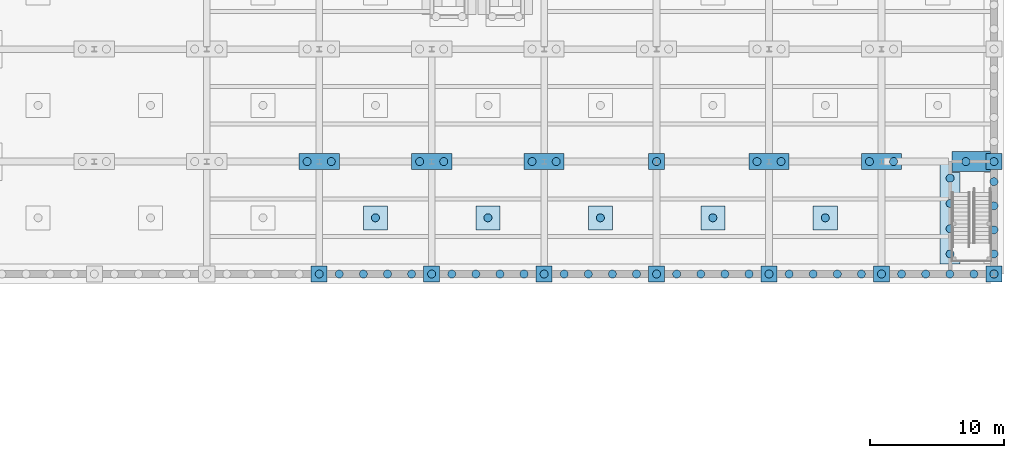
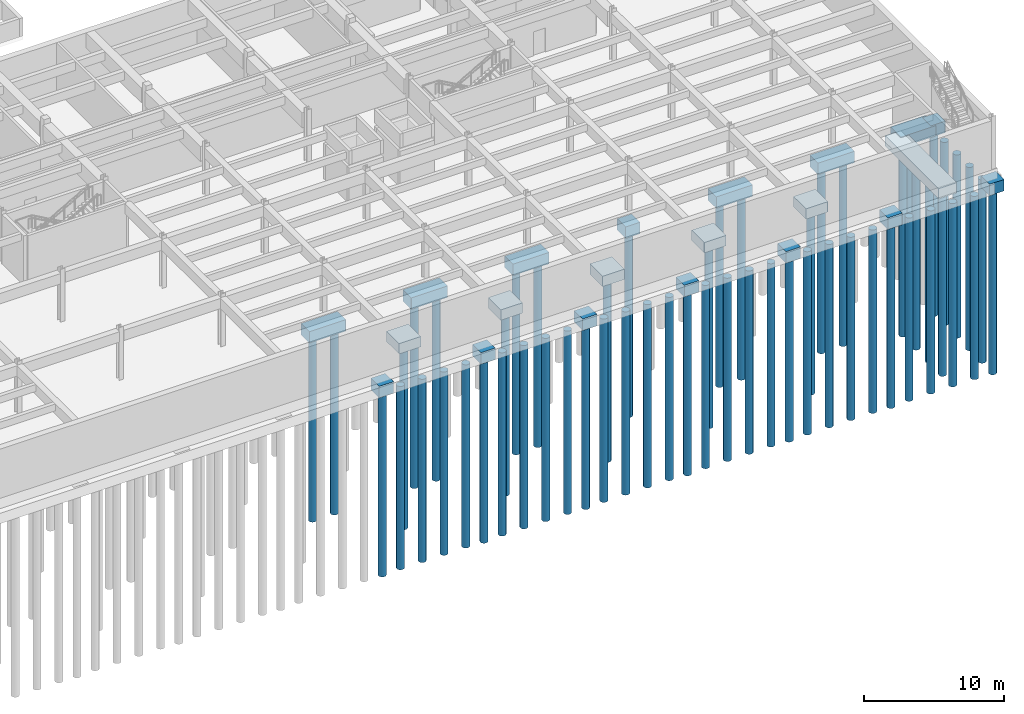
# One storey, part 6 of 33: 57 piles, 21 footings.
"""IFC4 building model written with IfcOpenShell, lengths in metres."""

from ifc_helpers import new_model, si_unit, direction, frame, origin, origin_2d, place, context, subcontext, project, spatial, polyline, circle, outline, extrude, material, layer, layer_set, material_profile, profile_set, type_object, element, save


model = new_model("IFC4")

# Units and contexts
model_context = context("Model", 3, precision=1e-05, world=origin(), true_north=direction((0.0, 1.0)))
body_context = subcontext(model_context, "Body", "Model", "MODEL_VIEW")
ifc_project = project(units=[si_unit("LENGTHUNIT", "METRE"), si_unit("AREAUNIT", "SQUARE_METRE"), si_unit("VOLUMEUNIT", "CUBIC_METRE"), si_unit("PLANEANGLEUNIT", "RADIAN"), si_unit("MASSUNIT", "GRAM", prefix="KILO")], contexts=[model_context])

# Site, building, storey
site_placement = place(None, origin())
site = spatial("IfcSite", under=ifc_project, at=site_placement, CompositionType="ELEMENT")
building_placement = place(site_placement, origin())
building = spatial("IfcBuilding", under=site, at=building_placement, Name="Ljudholm Concert House", CompositionType="ELEMENT")
storey_placement = place(building_placement, frame((0.0, 0.0, -4.60009765625)))
storey = spatial("IfcBuildingStorey", under=building, at=storey_placement, Name="B1", CompositionType="ELEMENT", Elevation=-4.60009765625)

# Piles
ifc_material_1 = material(Name="Concrete 5,000 psi", Category="concrete")
ifc_material_profile = material_profile(ifc_material_1, circle(Radius=0.300048828125, at=origin_2d()), Name="AUGER-CAST PILE D600")
ifc_profile_set = profile_set([ifc_material_profile], Name="Concrete 5,000 psi")
pile_type = type_object("IfcPileType", Name="AUGER-CAST PILE D600", PredefinedType="BORED", material=ifc_profile_set)
for number, where, z_axis, x_axis, name in (
    (1, (71.199951171875, 104.800048828125, -1.89990234375), (0.0, 0.0, -1.0), (1.0, 0.0, 0.0), "Pile D600"),
    (2, (70.300048828125, 113.199951171875, -1.89990234375), (0.0, 0.0, -1.0), (1.0, 0.0, 0.0), "Pile D600"),
    (3, (72.10009765625, 113.199951171875, -1.89990234375), (0.0, 0.0, -1.0), (1.0, 0.0, 0.0), "Pile D600"),
    (4, (79.60009765625, 104.800048828125, -1.89990234375), (0.0, 0.0, -1.0), (1.0, 0.0, 0.0), "Pile D600"),
    (5, (78.699951171875, 113.199951171875, -1.89990234375), (0.0, 0.0, -1.0), (1.0, 0.0, 0.0), "Pile D600"),
    (6, (80.5, 113.199951171875, -1.89990234375), (0.0, 0.0, -1.0), (1.0, 0.0, 0.0), "Pile D600"),
    (7, (88.0, 104.800048828125, -1.89990234375), (0.0, 0.0, -1.0), (1.0, 0.0, 0.0), "Pile D600"),
    (8, (87.10009765625, 113.199951171875, -1.89990234375), (0.0, 0.0, -1.0), (1.0, 0.0, 0.0), "Pile D600"),
    (9, (88.89990234375, 113.199951171875, -1.89990234375), (0.0, 0.0, -1.0), (1.0, 0.0, 0.0), "Pile D600"),
    (10, (96.39990234375, 104.800048828125, -1.89990234375), (0.0, 0.0, -1.0), (1.0, 0.0, 0.0), "Pile D600"),
    (11, (96.39990234375, 113.199951171875, -1.89990234375), (0.0, 0.0, -1.0), (1.0, 0.0, 0.0), "Pile D600"),
    (12, (104.800048828125, 104.800048828125, -1.89990234375), (0.0, 0.0, -1.0), (1.0, 0.0, 0.0), "Pile D600"),
    (13, (103.89990234375, 113.199951171875, -1.89990234375), (0.0, 0.0, -1.0), (1.0, 0.0, 0.0), "Pile D600"),
    (14, (105.699951171875, 113.199951171875, -1.89990234375), (0.0, 0.0, -1.0), (1.0, 0.0, 0.0), "Pile D600"),
    (15, (113.199951171875, 104.800048828125, -1.89990234375), (0.0, 0.0, -1.0), (1.0, 0.0, 0.0), "Pile D600"),
    (16, (112.300048828125, 113.199951171875, -1.89990234375), (0.0, 0.0, -1.0), (1.0, 0.0, 0.0), "Pile D600"),
    (17, (114.10009765625, 113.199951171875, -1.89990234375), (0.0, 0.0, -1.0), (1.0, 0.0, 0.0), "Pile D600"),
    (18, (121.60009765625, 104.800048828125, -1.89990234375), (0.0, 0.0, -1.0), (1.0, 0.0, 0.0), "Pile D600"),
    (19, (121.60009765625, 113.199951171875, -1.89990234375), (0.0, 0.0, -1.0), (1.0, 0.0, 0.0), "Pile D600"),
    (20, (119.5, 113.199951171875, -1.7998046875), (0.0, 0.0, -1.0), (1.0, 0.0, 0.0), "Pile D600"),
    (21, (72.699951171875, 104.800048828125, -1.7998046875), (0.0, 0.0, -1.0), (1.0, 0.0, 0.0), "Pile D600"),
    (22, (74.5, 104.800048828125, -1.7998046875), (0.0, 0.0, -1.0), (1.0, 0.0, 0.0), "Pile D600"),
    (23, (76.300048828125, 104.800048828125, -1.7998046875), (0.0, 0.0, -1.0), (1.0, 0.0, 0.0), "Pile D600"),
    (24, (78.10009765625, 104.800048828125, -1.7998046875), (0.0, 0.0, -1.0), (1.0, 0.0, 0.0), "Pile D600"),
    (25, (81.10009765625, 104.800048828125, -1.7998046875), (0.0, 0.0, -1.0), (1.0, 0.0, 0.0), "Pile D600"),
    (26, (82.89990234375, 104.800048828125, -1.7998046875), (0.0, 0.0, -1.0), (1.0, 0.0, 0.0), "Pile D600"),
    (27, (84.699951171875, 104.800048828125, -1.7998046875), (0.0, 0.0, -1.0), (1.0, 0.0, 0.0), "Pile D600"),
    (28, (86.5, 104.800048828125, -1.7998046875), (0.0, 0.0, -1.0), (1.0, 0.0, 0.0), "Pile D600"),
    (29, (89.5, 104.800048828125, -1.7998046875), (0.0, 0.0, -1.0), (1.0, 0.0, 0.0), "Pile D600"),
    (30, (91.300048828125, 104.800048828125, -1.7998046875), (0.0, 0.0, -1.0), (1.0, 0.0, 0.0), "Pile D600"),
    (31, (93.10009765625, 104.800048828125, -1.7998046875), (0.0, 0.0, -1.0), (1.0, 0.0, 0.0), "Pile D600"),
    (32, (94.89990234375, 104.800048828125, -1.7998046875), (0.0, 0.0, -1.0), (1.0, 0.0, 0.0), "Pile D600"),
    (33, (97.89990234375, 104.800048828125, -1.7998046875), (0.0, 0.0, -1.0), (1.0, 0.0, 0.0), "Pile D600"),
    (34, (99.699951171875, 104.800048828125, -1.7998046875), (0.0, 0.0, -1.0), (1.0, 0.0, 0.0), "Pile D600"),
    (35, (101.5, 104.800048828125, -1.7998046875), (0.0, 0.0, -1.0), (1.0, 0.0, 0.0), "Pile D600"),
    (36, (103.300048828125, 104.800048828125, -1.7998046875), (0.0, 0.0, -1.0), (1.0, 0.0, 0.0), "Pile D600"),
    (37, (106.300048828125, 104.800048828125, -1.7998046875), (0.0, 0.0, -1.0), (1.0, 0.0, 0.0), "Pile D600"),
    (38, (108.10009765625, 104.800048828125, -1.7998046875), (0.0, 0.0, -1.0), (1.0, 0.0, 0.0), "Pile D600"),
    (39, (109.89990234375, 104.800048828125, -1.7998046875), (0.0, 0.0, -1.0), (1.0, 0.0, 0.0), "Pile D600"),
    (40, (111.699951171875, 104.800048828125, -1.7998046875), (0.0, 0.0, -1.0), (1.0, 0.0, 0.0), "Pile D600"),
    (41, (114.699951171875, 104.800048828125, -1.7998046875), (0.0, 0.0, -1.0), (1.0, 0.0, 0.0), "Pile D600"),
    (42, (116.5, 104.800048828125, -1.7998046875), (0.0, 0.0, -1.0), (1.0, 0.0, 0.0), "Pile D600"),
    (43, (118.300048828125, 104.800048828125, -1.7998046875), (0.0, 0.0, -1.0), (1.0, 0.0, 0.0), "Pile D600"),
    (44, (120.10009765625, 104.800048828125, -1.7998046875), (0.0, 0.0, -1.0), (1.0, 0.0, 0.0), "Pile D600"),
    (45, (118.324951171875, 106.29931640625, -1.7998046875), (0.0, 0.0, -1.0), (1.0, 0.0, 0.0), "Pile D600"),
    (46, (118.324951171875, 108.18505859375, -1.7998046875), (0.0, 0.0, -1.0), (1.0, 0.0, 0.0), "Pile D600"),
    (47, (118.324951171875, 110.071044921875, -1.7998046875), (0.0, 0.0, -1.0), (1.0, 0.0, 0.0), "Pile D600"),
    (48, (118.324951171875, 111.956787109375, -1.7998046875), (0.0, 0.0, -1.0), (1.0, 0.0, 0.0), "Pile D600"),
    (49, (121.60009765625, 106.300048828125, -1.7998046875), (0.0, 0.0, -1.0), (1.0, 0.0, 0.0), "Pile D600"),
    (50, (121.60009765625, 108.10009765625, -1.7998046875), (0.0, 0.0, -1.0), (1.0, 0.0, 0.0), "Pile D600"),
    (51, (121.60009765625, 109.89990234375, -1.7998046875), (0.0, 0.0, -1.0), (1.0, 0.0, 0.0), "Pile D600"),
    (52, (121.60009765625, 111.699951171875, -1.7998046875), (0.0, 0.0, -1.0), (1.0, 0.0, 0.0), "Pile D600"),
    (53, (75.39990234375, 109.0, -1.7998046875), (0.0, 0.0, -1.0), (1.0, 0.0, 0.0), "Pile D600"),
    (54, (83.800048828125, 109.0, -1.7998046875), (0.0, 0.0, -1.0), (1.0, 0.0, 0.0), "Pile D600"),
    (55, (92.199951171875, 109.0, -1.7998046875), (0.0, 0.0, -1.0), (1.0, 0.0, 0.0), "Pile D600"),
    (56, (100.60009765625, 109.0, -1.7998046875), (0.0, 0.0, -1.0), (1.0, 0.0, 0.0), "Pile D600"),
    (57, (109.0, 109.0, -1.7998046875), (0.0, 0.0, -1.0), (1.0, 0.0, 0.0), "Pile D600"),
):
    element("IfcPile", number, at=place(storey_placement, frame(where, z_axis=z_axis, x_axis=x_axis)), inside=storey, type_object=pile_type, Name=name, PredefinedType="BORED", context=body_context, shape_type="SweptSolid", body=[
        extrude(circle(Radius=0.300048828125, at=origin_2d()), origin(), (0.0, 0.0, 1.0), 16.0),
    ])

# Footings
ifc_material_2 = material(Name="Concrete 5,000 psi", Category="concrete")
ifc_layer_1 = layer(ifc_material_2, 1.0)
ifc_layer_set_1 = layer_set([ifc_layer_1], Name="Concrete 5,000 psi")
footing_type_1 = type_object("IfcFootingType", Name="RC PILE CAP 1200x1200x1000", PredefinedType="PILE_CAP", material=ifc_layer_set_1)
footing_1_placement = place(storey_placement, frame((0.0, 0.0, -1.89990234375)))
element("IfcFooting", 58, at=footing_1_placement, inside=storey, type_object=footing_type_1, Name="Pile cap", PredefinedType="PILE_CAP", context=body_context, shape_type="SweptSolid", body=[
    extrude(outline(polyline([(70.610107421875, 104.199951171875), (71.7900390625, 104.199951171875), (71.7939453125, 104.20068359375), (71.797119140625, 104.202880859375), (71.79931640625, 104.2060546875), (71.800048828125, 104.2099609375), (71.800048828125, 105.389892578125), (71.79931640625, 105.393798828125), (71.797119140625, 105.39697265625), (71.7939453125, 105.399169921875), (71.7900390625, 105.39990234375), (70.610107421875, 105.39990234375), (70.606201171875, 105.399169921875), (70.60302734375, 105.39697265625), (70.600830078125, 105.393798828125), (70.60009765625, 105.389892578125), (70.60009765625, 104.2099609375), (70.600830078125, 104.2060546875), (70.60302734375, 104.202880859375), (70.606201171875, 104.20068359375), (70.610107421875, 104.199951171875)])), origin(), (0.0, 0.0, 1.0), 1.0),
])
footing_2_placement = place(storey_placement, frame((0.0, 0.0, -1.89990234375)))
element("IfcFooting", 59, at=footing_2_placement, inside=storey, type_object=footing_type_1, Name="Pile cap", PredefinedType="PILE_CAP", context=body_context, shape_type="SweptSolid", body=[
    extrude(outline(polyline([(79.010009765625, 104.199951171875), (80.18994140625, 104.199951171875), (80.19384765625, 104.20068359375), (80.197021484375, 104.202880859375), (80.19921875, 104.2060546875), (80.199951171875, 104.2099609375), (80.199951171875, 105.389892578125), (80.19921875, 105.393798828125), (80.197021484375, 105.39697265625), (80.19384765625, 105.399169921875), (80.18994140625, 105.39990234375), (79.010009765625, 105.39990234375), (79.006103515625, 105.399169921875), (79.0029296875, 105.39697265625), (79.000732421875, 105.393798828125), (79.0, 105.389892578125), (79.0, 104.2099609375), (79.000732421875, 104.2060546875), (79.0029296875, 104.202880859375), (79.006103515625, 104.20068359375), (79.010009765625, 104.199951171875)])), origin(), (0.0, 0.0, 1.0), 1.0),
])
footing_3_placement = place(storey_placement, frame((0.0, 0.0, -1.89990234375)))
element("IfcFooting", 60, at=footing_3_placement, inside=storey, type_object=footing_type_1, Name="Pile cap", PredefinedType="PILE_CAP", context=body_context, shape_type="SweptSolid", body=[
    extrude(outline(polyline([(87.409912109375, 104.199951171875), (88.590087890625, 104.199951171875), (88.59375, 104.20068359375), (88.59716796875, 104.202880859375), (88.59912109375, 104.2060546875), (88.60009765625, 104.2099609375), (88.60009765625, 105.389892578125), (88.59912109375, 105.393798828125), (88.59716796875, 105.39697265625), (88.59375, 105.399169921875), (88.590087890625, 105.39990234375), (87.409912109375, 105.39990234375), (87.40625, 105.399169921875), (87.40283203125, 105.39697265625), (87.40087890625, 105.393798828125), (87.39990234375, 105.389892578125), (87.39990234375, 104.2099609375), (87.40087890625, 104.2060546875), (87.40283203125, 104.202880859375), (87.40625, 104.20068359375), (87.409912109375, 104.199951171875)])), origin(), (0.0, 0.0, 1.0), 1.0),
])
footing_4_placement = place(storey_placement, frame((0.0, 0.0, -1.89990234375)))
element("IfcFooting", 61, at=footing_4_placement, inside=storey, type_object=footing_type_1, Name="Pile cap", PredefinedType="PILE_CAP", context=body_context, shape_type="SweptSolid", body=[
    extrude(outline(polyline([(95.81005859375, 104.199951171875), (96.989990234375, 104.199951171875), (96.993896484375, 104.20068359375), (96.9970703125, 104.202880859375), (96.999267578125, 104.2060546875), (97.0, 104.2099609375), (97.0, 105.389892578125), (96.999267578125, 105.393798828125), (96.9970703125, 105.39697265625), (96.993896484375, 105.399169921875), (96.989990234375, 105.39990234375), (95.81005859375, 105.39990234375), (95.80615234375, 105.399169921875), (95.802978515625, 105.39697265625), (95.80078125, 105.393798828125), (95.800048828125, 105.389892578125), (95.800048828125, 104.2099609375), (95.80078125, 104.2060546875), (95.802978515625, 104.202880859375), (95.80615234375, 104.20068359375), (95.81005859375, 104.199951171875)])), origin(), (0.0, 0.0, 1.0), 1.0),
])
footing_5_placement = place(storey_placement, frame((0.0, 0.0, -1.89990234375)))
element("IfcFooting", 62, at=footing_5_placement, inside=storey, type_object=footing_type_1, Name="Pile cap", PredefinedType="PILE_CAP", context=body_context, shape_type="SweptSolid", body=[
    extrude(outline(polyline([(95.800048828125, 113.7900390625), (95.800048828125, 112.610107421875), (95.80078125, 112.606201171875), (95.802978515625, 112.60302734375), (95.80615234375, 112.600830078125), (95.81005859375, 112.60009765625), (96.989990234375, 112.60009765625), (96.993896484375, 112.600830078125), (96.9970703125, 112.60302734375), (96.999267578125, 112.606201171875), (97.0, 112.610107421875), (97.0, 113.7900390625), (96.999267578125, 113.7939453125), (96.9970703125, 113.797119140625), (96.993896484375, 113.79931640625), (96.989990234375, 113.800048828125), (95.81005859375, 113.800048828125), (95.80615234375, 113.79931640625), (95.802978515625, 113.797119140625), (95.80078125, 113.7939453125), (95.800048828125, 113.7900390625)])), origin(), (0.0, 0.0, 1.0), 1.0),
])
footing_6_placement = place(storey_placement, frame((0.0, 0.0, -1.89990234375)))
element("IfcFooting", 63, at=footing_6_placement, inside=storey, type_object=footing_type_1, Name="Pile cap", PredefinedType="PILE_CAP", context=body_context, shape_type="SweptSolid", body=[
    extrude(outline(polyline([(104.2099609375, 104.199951171875), (105.389892578125, 104.199951171875), (105.393798828125, 104.20068359375), (105.39697265625, 104.202880859375), (105.399169921875, 104.2060546875), (105.39990234375, 104.2099609375), (105.39990234375, 105.389892578125), (105.399169921875, 105.393798828125), (105.39697265625, 105.39697265625), (105.393798828125, 105.399169921875), (105.389892578125, 105.39990234375), (104.2099609375, 105.39990234375), (104.2060546875, 105.399169921875), (104.202880859375, 105.39697265625), (104.20068359375, 105.393798828125), (104.199951171875, 105.389892578125), (104.199951171875, 104.2099609375), (104.20068359375, 104.2060546875), (104.202880859375, 104.202880859375), (104.2060546875, 104.20068359375), (104.2099609375, 104.199951171875)])), origin(), (0.0, 0.0, 1.0), 1.0),
])
footing_7_placement = place(storey_placement, frame((0.0, 0.0, -1.89990234375)))
element("IfcFooting", 64, at=footing_7_placement, inside=storey, type_object=footing_type_1, Name="Pile cap", PredefinedType="PILE_CAP", context=body_context, shape_type="SweptSolid", body=[
    extrude(outline(polyline([(112.610107421875, 104.199951171875), (113.7900390625, 104.199951171875), (113.7939453125, 104.20068359375), (113.797119140625, 104.202880859375), (113.79931640625, 104.2060546875), (113.800048828125, 104.2099609375), (113.800048828125, 105.389892578125), (113.79931640625, 105.393798828125), (113.797119140625, 105.39697265625), (113.7939453125, 105.399169921875), (113.7900390625, 105.39990234375), (112.610107421875, 105.39990234375), (112.606201171875, 105.399169921875), (112.60302734375, 105.39697265625), (112.600830078125, 105.393798828125), (112.60009765625, 105.389892578125), (112.60009765625, 104.2099609375), (112.600830078125, 104.2060546875), (112.60302734375, 104.202880859375), (112.606201171875, 104.20068359375), (112.610107421875, 104.199951171875)])), origin(), (0.0, 0.0, 1.0), 1.0),
])
footing_8_placement = place(storey_placement, frame((0.0, 0.0, -1.89990234375)))
element("IfcFooting", 65, at=footing_8_placement, inside=storey, type_object=footing_type_1, Name="Pile cap", PredefinedType="PILE_CAP", context=body_context, shape_type="SweptSolid", body=[
    extrude(outline(polyline([(121.010009765625, 104.199951171875), (122.18994140625, 104.199951171875), (122.19384765625, 104.20068359375), (122.197021484375, 104.202880859375), (122.19921875, 104.2060546875), (122.199951171875, 104.2099609375), (122.199951171875, 105.389892578125), (122.19921875, 105.393798828125), (122.197021484375, 105.39697265625), (122.19384765625, 105.399169921875), (122.18994140625, 105.39990234375), (121.010009765625, 105.39990234375), (121.006103515625, 105.399169921875), (121.0029296875, 105.39697265625), (121.000732421875, 105.393798828125), (121.0, 105.389892578125), (121.0, 104.2099609375), (121.000732421875, 104.2060546875), (121.0029296875, 104.202880859375), (121.006103515625, 104.20068359375), (121.010009765625, 104.199951171875)])), origin(), (0.0, 0.0, 1.0), 1.0),
])
footing_9_placement = place(storey_placement, frame((0.0, 0.0, -1.89990234375)))
element("IfcFooting", 66, at=footing_9_placement, inside=storey, type_object=footing_type_1, Name="Pile cap", PredefinedType="PILE_CAP", context=body_context, shape_type="SweptSolid", body=[
    extrude(outline(polyline([(121.0, 113.7900390625), (121.0, 112.610107421875), (121.000732421875, 112.606201171875), (121.0029296875, 112.60302734375), (121.006103515625, 112.600830078125), (121.010009765625, 112.60009765625), (122.18994140625, 112.60009765625), (122.19384765625, 112.600830078125), (122.197021484375, 112.60302734375), (122.19921875, 112.606201171875), (122.199951171875, 112.610107421875), (122.199951171875, 113.7900390625), (122.19921875, 113.7939453125), (122.197021484375, 113.797119140625), (122.19384765625, 113.79931640625), (122.18994140625, 113.800048828125), (121.010009765625, 113.800048828125), (121.006103515625, 113.79931640625), (121.0029296875, 113.797119140625), (121.000732421875, 113.7939453125), (121.0, 113.7900390625)])), origin(), (0.0, 0.0, 1.0), 1.0),
])
ifc_material_3 = material(Name="Concrete 5,000 psi", Category="concrete")
ifc_layer_2 = layer(ifc_material_3, 0.89990234375)
ifc_layer_set_2 = layer_set([ifc_layer_2], Name="Concrete 5,000 psi")
footing_type_2 = type_object("IfcFootingType", Name="RC PILE CAP 1800x1800x900", PredefinedType="PILE_CAP", material=ifc_layer_set_2)
footing_10_placement = place(storey_placement, frame((0.0, 0.0, -1.7998046875)))
element("IfcFooting", 67, at=footing_10_placement, inside=storey, type_object=footing_type_2, Name="Uplift pile cap", PredefinedType="PILE_CAP", context=body_context, shape_type="SweptSolid", body=[
    extrude(outline(polyline([(74.510009765625, 108.10009765625), (76.2900390625, 108.10009765625), (76.2939453125, 108.100830078125), (76.297119140625, 108.10302734375), (76.29931640625, 108.106201171875), (76.300048828125, 108.110107421875), (76.300048828125, 109.889892578125), (76.29931640625, 109.893798828125), (76.297119140625, 109.89697265625), (76.2939453125, 109.899169921875), (76.2900390625, 109.89990234375), (74.510009765625, 109.89990234375), (74.506103515625, 109.899169921875), (74.5029296875, 109.89697265625), (74.500732421875, 109.893798828125), (74.5, 109.889892578125), (74.5, 108.110107421875), (74.500732421875, 108.106201171875), (74.5029296875, 108.10302734375), (74.506103515625, 108.100830078125), (74.510009765625, 108.10009765625)])), origin(), (0.0, 0.0, 1.0), 0.89990234375),
])
footing_11_placement = place(storey_placement, frame((0.0, 0.0, -1.7998046875)))
element("IfcFooting", 68, at=footing_11_placement, inside=storey, type_object=footing_type_2, Name="Uplift pile cap", PredefinedType="PILE_CAP", context=body_context, shape_type="SweptSolid", body=[
    extrude(outline(polyline([(82.909912109375, 108.10009765625), (84.68994140625, 108.10009765625), (84.69384765625, 108.100830078125), (84.697021484375, 108.10302734375), (84.69921875, 108.106201171875), (84.699951171875, 108.110107421875), (84.699951171875, 109.889892578125), (84.69921875, 109.893798828125), (84.697021484375, 109.89697265625), (84.69384765625, 109.899169921875), (84.68994140625, 109.89990234375), (82.909912109375, 109.89990234375), (82.90625, 109.899169921875), (82.90283203125, 109.89697265625), (82.90087890625, 109.893798828125), (82.89990234375, 109.889892578125), (82.89990234375, 108.110107421875), (82.90087890625, 108.106201171875), (82.90283203125, 108.10302734375), (82.90625, 108.100830078125), (82.909912109375, 108.10009765625)])), origin(), (0.0, 0.0, 1.0), 0.89990234375),
])
footing_12_placement = place(storey_placement, frame((0.0, 0.0, -1.7998046875)))
element("IfcFooting", 69, at=footing_12_placement, inside=storey, type_object=footing_type_2, Name="Uplift pile cap", PredefinedType="PILE_CAP", context=body_context, shape_type="SweptSolid", body=[
    extrude(outline(polyline([(91.31005859375, 108.10009765625), (93.090087890625, 108.10009765625), (93.09375, 108.100830078125), (93.09716796875, 108.10302734375), (93.09912109375, 108.106201171875), (93.10009765625, 108.110107421875), (93.10009765625, 109.889892578125), (93.09912109375, 109.893798828125), (93.09716796875, 109.89697265625), (93.09375, 109.899169921875), (93.090087890625, 109.89990234375), (91.31005859375, 109.89990234375), (91.30615234375, 109.899169921875), (91.302978515625, 109.89697265625), (91.30078125, 109.893798828125), (91.300048828125, 109.889892578125), (91.300048828125, 108.110107421875), (91.30078125, 108.106201171875), (91.302978515625, 108.10302734375), (91.30615234375, 108.100830078125), (91.31005859375, 108.10009765625)])), origin(), (0.0, 0.0, 1.0), 0.89990234375),
])
footing_13_placement = place(storey_placement, frame((0.0, 0.0, -1.7998046875)))
element("IfcFooting", 70, at=footing_13_placement, inside=storey, type_object=footing_type_2, Name="Uplift pile cap", PredefinedType="PILE_CAP", context=body_context, shape_type="SweptSolid", body=[
    extrude(outline(polyline([(99.7099609375, 108.10009765625), (101.489990234375, 108.10009765625), (101.493896484375, 108.100830078125), (101.4970703125, 108.10302734375), (101.499267578125, 108.106201171875), (101.5, 108.110107421875), (101.5, 109.889892578125), (101.499267578125, 109.893798828125), (101.4970703125, 109.89697265625), (101.493896484375, 109.899169921875), (101.489990234375, 109.89990234375), (99.7099609375, 109.89990234375), (99.7060546875, 109.899169921875), (99.702880859375, 109.89697265625), (99.70068359375, 109.893798828125), (99.699951171875, 109.889892578125), (99.699951171875, 108.110107421875), (99.70068359375, 108.106201171875), (99.702880859375, 108.10302734375), (99.7060546875, 108.100830078125), (99.7099609375, 108.10009765625)])), origin(), (0.0, 0.0, 1.0), 0.89990234375),
])
footing_14_placement = place(storey_placement, frame((0.0, 0.0, -1.7998046875)))
element("IfcFooting", 71, at=footing_14_placement, inside=storey, type_object=footing_type_2, Name="Uplift pile cap", PredefinedType="PILE_CAP", context=body_context, shape_type="SweptSolid", body=[
    extrude(outline(polyline([(108.110107421875, 108.10009765625), (109.889892578125, 108.10009765625), (109.893798828125, 108.100830078125), (109.89697265625, 108.10302734375), (109.899169921875, 108.106201171875), (109.89990234375, 108.110107421875), (109.89990234375, 109.889892578125), (109.899169921875, 109.893798828125), (109.89697265625, 109.89697265625), (109.893798828125, 109.899169921875), (109.889892578125, 109.89990234375), (108.110107421875, 109.89990234375), (108.106201171875, 109.899169921875), (108.10302734375, 109.89697265625), (108.100830078125, 109.893798828125), (108.10009765625, 109.889892578125), (108.10009765625, 108.110107421875), (108.100830078125, 108.106201171875), (108.10302734375, 108.10302734375), (108.106201171875, 108.100830078125), (108.110107421875, 108.10009765625)])), origin(), (0.0, 0.0, 1.0), 0.89990234375),
])
ifc_material_4 = material(Name="Concrete 5,000 psi", Category="concrete")
ifc_layer_3 = layer(ifc_material_4, 1.0)
ifc_layer_set_3 = layer_set([ifc_layer_3], Name="Concrete 5,000 psi")
footing_type_3 = type_object("IfcFootingType", Name="RC PILE CAP 3000x1200x1000", PredefinedType="PILE_CAP", material=ifc_layer_set_3)
footing_15_placement = place(storey_placement, frame((0.0, 0.0, -1.89990234375)))
element("IfcFooting", 72, at=footing_15_placement, inside=storey, type_object=footing_type_3, Name="Pile cap", PredefinedType="PILE_CAP", context=body_context, shape_type="SweptSolid", body=[
    extrude(outline(polyline([(69.699951171875, 113.7900390625), (69.699951171875, 112.610107421875), (69.70166015625, 112.6044921875), (69.7060546875, 112.600830078125), (69.7099609375, 112.60009765625), (72.68994140625, 112.60009765625), (72.695556640625, 112.601806640625), (72.69921875, 112.606201171875), (72.699951171875, 112.610107421875), (72.699951171875, 113.7900390625), (72.6982421875, 113.795654296875), (72.69384765625, 113.79931640625), (72.68994140625, 113.800048828125), (69.7099609375, 113.800048828125), (69.7060546875, 113.79931640625), (69.702880859375, 113.797119140625), (69.70068359375, 113.7939453125), (69.699951171875, 113.7900390625)])), origin(), (0.0, 0.0, 1.0), 1.0),
])
footing_16_placement = place(storey_placement, frame((0.0, 0.0, -1.89990234375)))
element("IfcFooting", 73, at=footing_16_placement, inside=storey, type_object=footing_type_3, Name="Pile cap", PredefinedType="PILE_CAP", context=body_context, shape_type="SweptSolid", body=[
    extrude(outline(polyline([(78.10009765625, 113.7900390625), (78.10009765625, 112.610107421875), (78.101806640625, 112.6044921875), (78.106201171875, 112.600830078125), (78.110107421875, 112.60009765625), (81.090087890625, 112.60009765625), (81.095458984375, 112.601806640625), (81.09912109375, 112.606201171875), (81.10009765625, 112.610107421875), (81.10009765625, 113.7900390625), (81.098388671875, 113.795654296875), (81.09375, 113.79931640625), (81.090087890625, 113.800048828125), (78.110107421875, 113.800048828125), (78.106201171875, 113.79931640625), (78.10302734375, 113.797119140625), (78.100830078125, 113.7939453125), (78.10009765625, 113.7900390625)])), origin(), (0.0, 0.0, 1.0), 1.0),
])
footing_17_placement = place(storey_placement, frame((0.0, 0.0, -1.89990234375)))
element("IfcFooting", 74, at=footing_17_placement, inside=storey, type_object=footing_type_3, Name="Pile cap", PredefinedType="PILE_CAP", context=body_context, shape_type="SweptSolid", body=[
    extrude(outline(polyline([(86.5, 113.7900390625), (86.5, 112.610107421875), (86.501708984375, 112.6044921875), (86.506103515625, 112.600830078125), (86.510009765625, 112.60009765625), (89.489990234375, 112.60009765625), (89.49560546875, 112.601806640625), (89.499267578125, 112.606201171875), (89.5, 112.610107421875), (89.5, 113.7900390625), (89.498291015625, 113.795654296875), (89.493896484375, 113.79931640625), (89.489990234375, 113.800048828125), (86.510009765625, 113.800048828125), (86.506103515625, 113.79931640625), (86.5029296875, 113.797119140625), (86.500732421875, 113.7939453125), (86.5, 113.7900390625)])), origin(), (0.0, 0.0, 1.0), 1.0),
])
footing_18_placement = place(storey_placement, frame((0.0, 0.0, -1.89990234375)))
element("IfcFooting", 75, at=footing_18_placement, inside=storey, type_object=footing_type_3, Name="Pile cap", PredefinedType="PILE_CAP", context=body_context, shape_type="SweptSolid", body=[
    extrude(outline(polyline([(103.300048828125, 113.7900390625), (103.300048828125, 112.610107421875), (103.3017578125, 112.6044921875), (103.30615234375, 112.600830078125), (103.31005859375, 112.60009765625), (106.2900390625, 112.60009765625), (106.295654296875, 112.601806640625), (106.29931640625, 112.606201171875), (106.300048828125, 112.610107421875), (106.300048828125, 113.7900390625), (106.29833984375, 113.795654296875), (106.2939453125, 113.79931640625), (106.2900390625, 113.800048828125), (103.31005859375, 113.800048828125), (103.30615234375, 113.79931640625), (103.302978515625, 113.797119140625), (103.30078125, 113.7939453125), (103.300048828125, 113.7900390625)])), origin(), (0.0, 0.0, 1.0), 1.0),
])
footing_19_placement = place(storey_placement, frame((0.0, 0.0, -1.89990234375)))
element("IfcFooting", 76, at=footing_19_placement, inside=storey, type_object=footing_type_3, Name="Pile cap", PredefinedType="PILE_CAP", context=body_context, shape_type="SweptSolid", body=[
    extrude(outline(polyline([(111.699951171875, 113.7900390625), (111.699951171875, 112.610107421875), (111.70166015625, 112.6044921875), (111.7060546875, 112.600830078125), (111.7099609375, 112.60009765625), (114.68994140625, 112.60009765625), (114.695556640625, 112.601806640625), (114.69921875, 112.606201171875), (114.699951171875, 112.610107421875), (114.699951171875, 113.7900390625), (114.6982421875, 113.795654296875), (114.69384765625, 113.79931640625), (114.68994140625, 113.800048828125), (111.7099609375, 113.800048828125), (111.7060546875, 113.79931640625), (111.702880859375, 113.797119140625), (111.70068359375, 113.7939453125), (111.699951171875, 113.7900390625)])), origin(), (0.0, 0.0, 1.0), 1.0),
])
ifc_material_5 = material(Name="Concrete 5,000 psi", Category="concrete")
ifc_layer_4 = layer(ifc_material_5, 0.89990234375)
ifc_layer_set_4 = layer_set([ifc_layer_4], Name="Concrete 5,000 psi")
footing_type_4 = type_object("IfcFootingType", Name="RC STRIP FOOTING 1500x900", PredefinedType="STRIP_FOOTING", material=ifc_layer_set_4)
footing_20_placement = place(storey_placement, frame((0.0, 0.0, -1.7998046875)))
element("IfcFooting", 77, at=footing_20_placement, inside=storey, type_object=footing_type_4, Name="Strip footing", PredefinedType="STRIP_FOOTING", context=body_context, shape_type="SweptSolid", body=[
    extrude(outline(polyline([(118.4599609375, 112.449951171875), (121.340087890625, 112.449951171875), (121.3447265625, 112.451171875), (121.348876953125, 112.455322265625), (121.35009765625, 112.4599609375), (121.35009765625, 112.590087890625), (121.348388671875, 112.595458984375), (121.34375, 112.59912109375), (121.340087890625, 112.60009765625), (121.01025390625, 112.60009765625), (121.00439453125, 112.601806640625), (121.001708984375, 112.6044921875), (121.00048828125, 112.607177734375), (121.0, 113.789794921875), (121.000732421875, 113.793701171875), (121.0029296875, 113.797119140625), (121.006103515625, 113.79931640625), (121.01025390625, 113.800048828125), (121.340087890625, 113.800048828125), (121.34375, 113.80078125), (121.348388671875, 113.804443359375), (121.35009765625, 113.81005859375), (121.35009765625, 113.93994140625), (121.348876953125, 113.94482421875), (121.3447265625, 113.94873046875), (121.340087890625, 113.949951171875), (118.4599609375, 113.949951171875), (118.455322265625, 113.94873046875), (118.451171875, 113.94482421875), (118.449951171875, 113.93994140625), (118.449951171875, 112.4599609375), (118.45068359375, 112.4560546875), (118.452880859375, 112.452880859375), (118.4560546875, 112.45068359375), (118.4599609375, 112.449951171875)])), origin(), (0.0, 0.0, 1.0), 0.89990234375),
])
footing_21_placement = place(storey_placement, frame((0.0, 0.0, -1.7998046875)))
element("IfcFooting", 78, at=footing_21_placement, inside=storey, type_object=footing_type_4, Name="Strip footing", PredefinedType="STRIP_FOOTING", context=body_context, shape_type="SweptSolid", body=[
    extrude(outline(polyline([(117.5849609375, 105.550048828125), (119.06494140625, 105.550048828125), (119.06884765625, 105.55078125), (119.072021484375, 105.552978515625), (119.07373046875, 105.55517578125), (119.074951171875, 105.55908203125), (119.074951171875, 112.390869140625), (119.07373046875, 112.394775390625), (119.072021484375, 112.39697265625), (119.06884765625, 112.399169921875), (119.06494140625, 112.39990234375), (118.41015625, 112.39990234375), (118.40625, 112.40087890625), (118.40234375, 112.403564453125), (118.400390625, 112.406982421875), (118.39990234375, 112.41015625), (118.39990234375, 113.18994140625), (118.399169921875, 113.19384765625), (118.39697265625, 113.197021484375), (118.394775390625, 113.19873046875), (118.390869140625, 113.199951171875), (117.5849609375, 113.199951171875), (117.5810546875, 113.19921875), (117.577880859375, 113.197021484375), (117.576171875, 113.19482421875), (117.574951171875, 113.19091796875), (117.574951171875, 105.56005859375), (117.57568359375, 105.55615234375), (117.577880859375, 105.552978515625), (117.5810546875, 105.55078125), (117.5849609375, 105.550048828125)])), origin(), (0.0, 0.0, 1.0), 0.89990234375),
])

save(model, "model.ifc")
